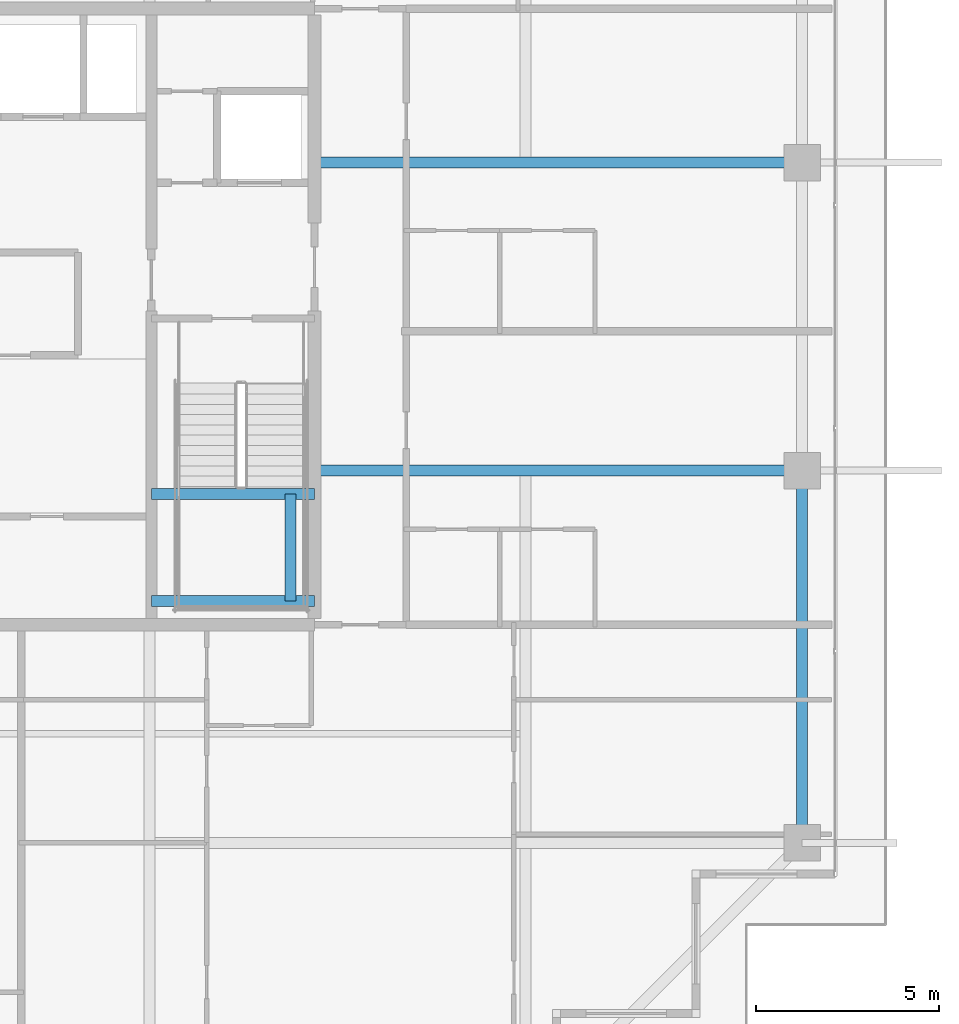
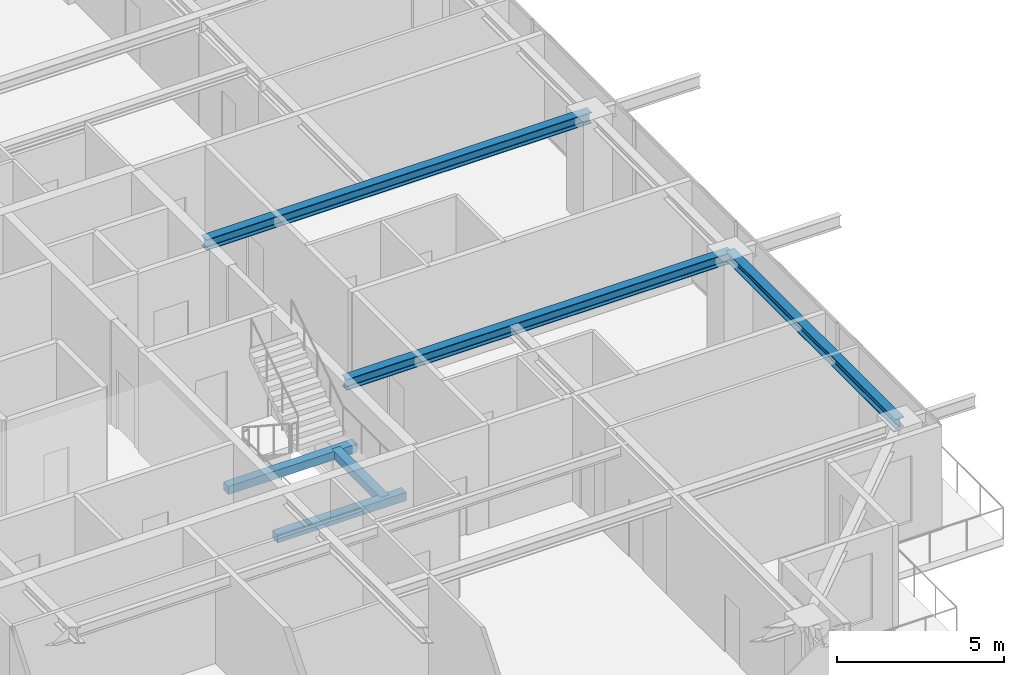
# One storey, part 14 of 38: 6 beams.
"""IFC4 building model written with IfcOpenShell, lengths in metres."""

from ifc_helpers import new_model, si_unit, direction, frame, origin, origin_2d, place, context, subcontext, project, spatial, rectangle, i_section, extrude, source, transform, mapped, material, material_profile, profile_set, type_object, element, save


model = new_model("IFC4")

# Units and contexts
model_context = context("Model", 3, precision=1e-05, world=origin(), true_north=direction((0.0, 1.0)))
body_context = subcontext(model_context, "Body", "Model", "MODEL_VIEW")
ifc_project = project(units=[si_unit("LENGTHUNIT", "METRE"), si_unit("AREAUNIT", "SQUARE_METRE"), si_unit("VOLUMEUNIT", "CUBIC_METRE"), si_unit("PLANEANGLEUNIT", "RADIAN"), si_unit("MASSUNIT", "GRAM", prefix="KILO")], contexts=[model_context])

# Site, building, storey
site_placement = place(None, origin())
site = spatial("IfcSite", under=ifc_project, at=site_placement, CompositionType="ELEMENT")
building_placement = place(site_placement, origin())
building = spatial("IfcBuilding", under=site, at=building_placement, Name="Serunith Strait Residences", CompositionType="ELEMENT")
storey_placement = place(building_placement, frame((0.0, 0.0, 321.800048828125)))
storey = spatial("IfcBuildingStorey", under=building, at=storey_placement, Name="L80", CompositionType="ELEMENT", Elevation=321.800048828125)

# Beams
ifc_material_1 = material(Name="Steel S355J2", Category="steel")
ifc_material_profile_1 = material_profile(ifc_material_1, i_section(OverallWidth=0.300048828125, OverallDepth=0.39990234375, WebThickness=0.013427734375, FlangeThickness=0.02392578125, FilletRadius=0.027099609375, at=origin_2d()), Name="HEB 400")
ifc_profile_set_1 = profile_set([ifc_material_profile_1], Name="Steel S355J2")
beam_type_1 = type_object("IfcBeamType", Name="BM-HEB400", PredefinedType="BEAM", material=ifc_profile_set_1)
shared_shape_1 = source(origin(), body_context, "Body", "SweptSolid", [
    extrude(i_section(OverallWidth=0.300048828125, OverallDepth=0.39990234375, WebThickness=0.013427734375, FlangeThickness=0.02392578125, FilletRadius=0.027099609375, at=origin_2d()), origin(), (0.0, 0.0, 1.0), 13.300048828125),
])
for number, where, z_axis, x_axis, name in (
    (1, (41.39990234375, 21.0, 3.5869140625), (1.0, 0.0, 0.0), (0.0, 1.0, 0.0), "L80 Primary Floor Girder TC-E2"),
    (2, (41.39990234375, 29.39990234375, 3.5869140625), (1.0, 0.0, 0.0), (0.0, 1.0, 0.0), "L80 Primary Floor Girder TC-E3"),
):
    element("IfcBeam", number, at=place(storey_placement, frame(where, z_axis=z_axis, x_axis=x_axis)), inside=storey, type_object=beam_type_1, Name=name, PredefinedType="BEAM", context=body_context, shape_type="MappedRepresentation", body=[
        mapped(shared_shape_1, transform((0.0, 0.0, 0.0), scale=1.0)),
    ])
ifc_material_profile_2 = material_profile(ifc_material_1, i_section(OverallWidth=0.300048828125, OverallDepth=0.360107421875, WebThickness=0.012451171875, FlangeThickness=0.0224609375, FilletRadius=0.027099609375, at=origin_2d()), Name="HEB 360")
ifc_profile_set_2 = profile_set([ifc_material_profile_2], Name="Steel S355J2")
beam_type_2 = type_object("IfcBeamType", Name="BM-HEB360", PredefinedType="BEAM", material=ifc_profile_set_2)
shared_shape_2 = source(origin(), body_context, "Body", "SweptSolid", [
    extrude(i_section(OverallWidth=0.300048828125, OverallDepth=0.360107421875, WebThickness=0.012451171875, FlangeThickness=0.0224609375, FilletRadius=0.027099609375, at=origin_2d()), origin(), (0.0, 0.0, 1.0), 10.14990234375),
])
beam_1_placement = place(storey_placement, frame((54.699951171875, 10.85009765625, 3.60693359375), z_axis=(0.0, 1.0, 0.0), x_axis=(-1.0, 0.0, 0.0)))
element("IfcBeam", 3, at=beam_1_placement, inside=storey, type_object=beam_type_2, Name="L80 Perimeter Ring Beam 05", PredefinedType="BEAM", context=body_context, shape_type="MappedRepresentation", body=[
    mapped(shared_shape_2, transform((0.0, 0.0, 0.0), scale=1.0)),
])
ifc_material_2 = material(Name="Concrete C60/75", Category="concrete")
ifc_material_profile_3 = material_profile(ifc_material_2, rectangle(XDim=0.300048828125, YDim=0.300048828125, at=origin_2d()), Name="RC 300x300")
ifc_profile_set_3 = profile_set([ifc_material_profile_3], Name="Concrete C60/75")
beam_type_3 = type_object("IfcBeamType", Name="BM-LAND-300x300", PredefinedType="BEAM", material=ifc_profile_set_3)
shared_shape_3 = source(origin(), body_context, "Body", "SweptSolid", [
    extrude(rectangle(XDim=0.300048828125, YDim=0.300048828125, at=origin_2d()), origin(), (0.0, 0.0, 1.0), 4.449951171875),
])
for number, where, z_axis, x_axis, name in (
    (4, (36.949951171875, 17.449951171875, 1.675048828125), (1.0, 0.0, 0.0), (0.0, 1.0, 0.0), "L80 ST-2 Landing Support Beam 1"),
    (5, (36.949951171875, 20.3701171875, 1.675048828125), (1.0, 0.0, 0.0), (0.0, 1.0, 0.0), "L80 ST-2 Landing Support Beam 2"),
):
    element("IfcBeam", number, at=place(storey_placement, frame(where, z_axis=z_axis, x_axis=x_axis)), inside=storey, type_object=beam_type_3, Name=name, PredefinedType="BEAM", context=body_context, shape_type="MappedRepresentation", body=[
        mapped(shared_shape_3, transform((0.0, 0.0, 0.0), scale=1.0)),
    ])
shared_shape_4 = source(origin(), body_context, "Body", "SweptSolid", [
    extrude(rectangle(XDim=0.300048828125, YDim=0.300048828125, at=origin_2d()), origin(), (0.0, 0.0, 1.0), 2.920166015625),
])
beam_2_placement = place(storey_placement, frame((40.75, 17.449951171875, 1.675048828125), z_axis=(0.0, 1.0, 0.0), x_axis=(-1.0, 0.0, 0.0)))
element("IfcBeam", 6, at=beam_2_placement, inside=storey, type_object=beam_type_3, Name="L80 ST-2 Landing Transverse Tie Beam", PredefinedType="BEAM", context=body_context, shape_type="MappedRepresentation", body=[
    mapped(shared_shape_4, transform((0.0, 0.0, 0.0), scale=1.0)),
])

save(model, "model.ifc")
